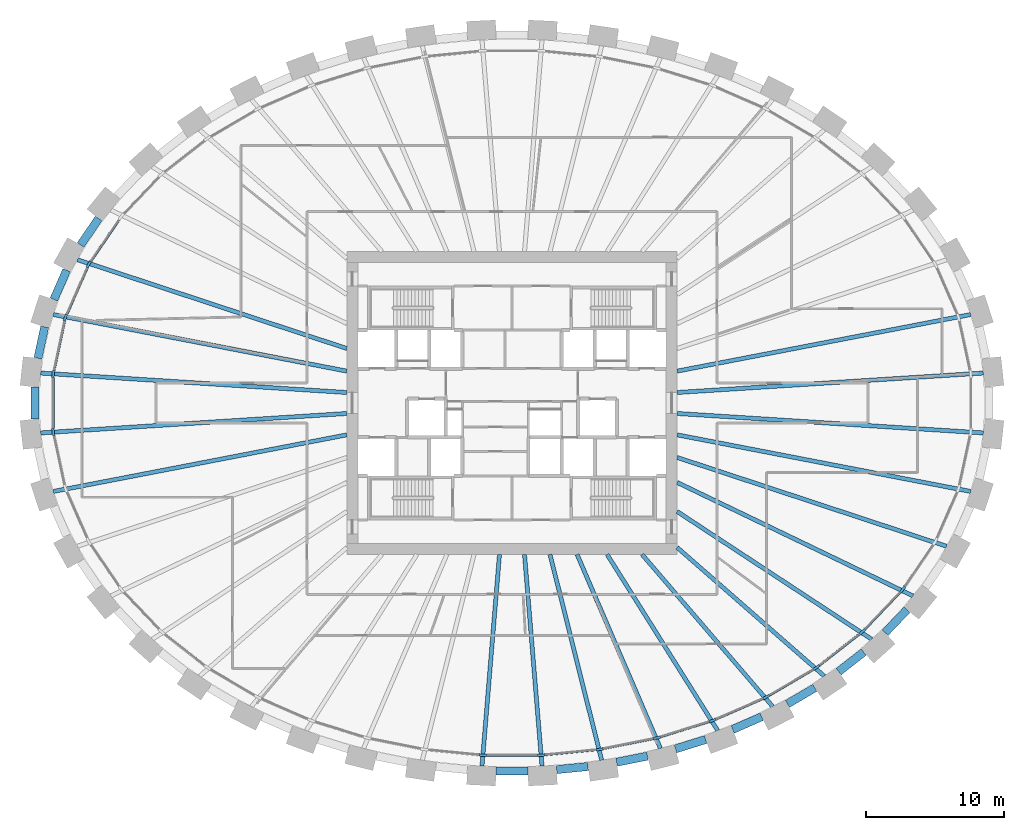
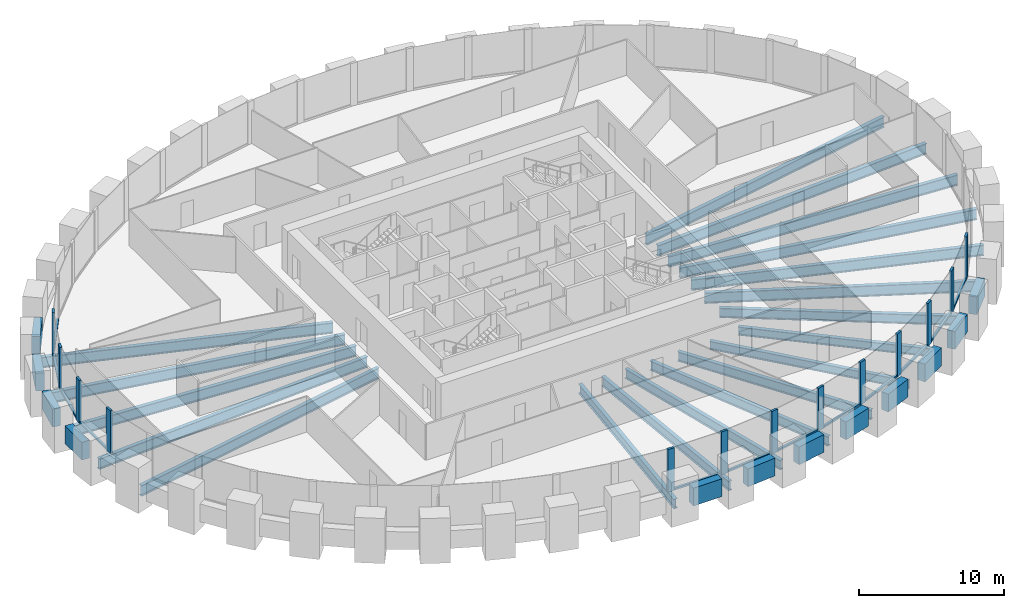
# One storey, part 2 of 11: 31 beams, 25 members, 1 element without a shape of its own.
"""IFC4 building model written with IfcOpenShell, lengths in metres."""

from ifc_helpers import new_model, si_unit, direction, frame, origin, origin_2d, place, context, subcontext, project, spatial, rectangle, i_section, extrude, source, transform, mapped, material, material_profile, profile_set, type_object, element, aggregate, save


model = new_model("IFC4")

# Units and contexts
model_context = context("Model", 3, precision=1e-05, world=origin(), true_north=direction((0.0, 1.0)))
body_context = subcontext(model_context, "Body", "Model", "MODEL_VIEW")
ifc_project = project(units=[si_unit("LENGTHUNIT", "METRE"), si_unit("AREAUNIT", "SQUARE_METRE"), si_unit("VOLUMEUNIT", "CUBIC_METRE"), si_unit("PLANEANGLEUNIT", "RADIAN"), si_unit("MASSUNIT", "GRAM", prefix="KILO")], contexts=[model_context])

# Site, building, storey
site_placement = place(None, origin())
site = spatial("IfcSite", under=ifc_project, at=site_placement, CompositionType="ELEMENT")
building_placement = place(site_placement, origin())
building = spatial("IfcBuilding", under=site, at=building_placement, Name="Embergate Tower", CompositionType="ELEMENT")
storey_placement = place(building_placement, frame((0.0, 0.0, 230.699951171875)))
storey = spatial("IfcBuildingStorey", under=building, at=storey_placement, Name="L53", CompositionType="ELEMENT", Elevation=230.699951171875)

# Beams
ifc_material_1 = material(Name="Concrete C60", Category="concrete")
ifc_material_profile_1 = material_profile(ifc_material_1, rectangle(XDim=0.60009765625, YDim=1.5, at=origin_2d()), Name="RC 600x1500")
ifc_profile_set_1 = profile_set([ifc_material_profile_1], Name="Concrete C60")
beam_type_1 = type_object("IfcBeamType", Name="Spandrel beam RC 600x1500 C60", PredefinedType="BEAM", material=ifc_profile_set_1)
shared_shape_1 = source(origin(), body_context, "Body", "SweptSolid", [
    extrude(rectangle(XDim=0.60009765625, YDim=1.5, at=origin_2d()), origin(), (0.0, 0.0, 1.0), 2.326171875),
])
beam_1_placement = place(storey_placement, frame((-33.947998046875, 5.527099609375, 0.0), z_axis=(-0.210224296762, -0.977653182397, 0.0), x_axis=(0.977653182397, -0.210224296762, 0.0)))
element("IfcBeam", 1, at=beam_1_placement, inside=storey, type_object=beam_type_1, Name="SPN-L53-20", PredefinedType="BEAM", context=body_context, shape_type="MappedRepresentation", body=[
    mapped(shared_shape_1, transform((0.0, 0.0, 0.0))),
])
shared_shape_2 = source(origin(), body_context, "Body", "SweptSolid", [
    extrude(rectangle(XDim=0.60009765625, YDim=1.5, at=origin_2d()), origin(), (0.0, 0.0, 1.0), 2.3193359375),
])
beam_2_placement = place(storey_placement, frame((-32.35107421875, 9.64306640625, 0.0), z_axis=(-0.401768353021, -0.915741333844, 0.0), x_axis=(0.915741333844, -0.401768353021, 0.0)))
element("IfcBeam", 2, at=beam_2_placement, inside=storey, type_object=beam_type_1, Name="SPN-L53-19", PredefinedType="BEAM", context=body_context, shape_type="MappedRepresentation", body=[
    mapped(shared_shape_2, transform((0.0, 0.0, 0.0))),
])
shared_shape_3 = source(origin(), body_context, "Body", "SweptSolid", [
    extrude(rectangle(XDim=0.60009765625, YDim=1.5, at=origin_2d()), origin(), (0.0, 0.0, 1.0), 2.315673828125),
])
beam_3_placement = place(storey_placement, frame((-30.032958984375, 13.39501953125, 0.0), z_axis=(-0.562243694996, -0.82697160014, 0.0), x_axis=(0.82697160014, -0.562243694996, 0.0)))
element("IfcBeam", 3, at=beam_3_placement, inside=storey, type_object=beam_type_1, Name="SPN-L53-18", PredefinedType="BEAM", context=body_context, shape_type="MappedRepresentation", body=[
    mapped(shared_shape_3, transform((0.0, 0.0, 0.0))),
])
shared_shape_4 = source(origin(), body_context, "Body", "SweptSolid", [
    extrude(rectangle(XDim=0.60009765625, YDim=1.5, at=origin_2d()), origin(), (0.0, 0.0, 1.0), 2.30712890625),
])
beam_4_placement = place(storey_placement, frame((27.10498046875, -16.68505859375, 0.0), z_axis=(0.690460646057, 0.723369958076, 0.0), x_axis=(-0.723369958076, 0.690460646057, 0.0)))
element("IfcBeam", 4, at=beam_4_placement, inside=storey, type_object=beam_type_1, Name="SPN-L53-39", PredefinedType="BEAM", context=body_context, shape_type="MappedRepresentation", body=[
    mapped(shared_shape_4, transform((0.0, 0.0, 0.0))),
])
shared_shape_5 = source(origin(), body_context, "Body", "SweptSolid", [
    extrude(rectangle(XDim=0.60009765625, YDim=1.5, at=origin_2d()), origin(), (0.0, 0.0, 1.0), 2.30224609375),
])
beam_5_placement = place(storey_placement, frame((23.73388671875, -19.510986328125, 0.0), z_axis=(0.788466304813, 0.6150779513, 0.0), x_axis=(-0.6150779513, 0.788466304813, 0.0)))
element("IfcBeam", 5, at=beam_5_placement, inside=storey, type_object=beam_type_1, Name="SPN-L53-38", PredefinedType="BEAM", context=body_context, shape_type="MappedRepresentation", body=[
    mapped(shared_shape_5, transform((0.0, 0.0, 0.0))),
])
shared_shape_6 = source(origin(), body_context, "Body", "SweptSolid", [
    extrude(rectangle(XDim=0.60009765625, YDim=1.5, at=origin_2d()), origin(), (0.0, 0.0, 1.0), 2.29931640625),
])
beam_6_placement = place(storey_placement, frame((20.014892578125, -21.85693359375, 0.0), z_axis=(0.86211432003, 0.506713823769, 0.0), x_axis=(-0.506713823769, 0.86211432003, 0.0)))
element("IfcBeam", 6, at=beam_6_placement, inside=storey, type_object=beam_type_1, Name="SPN-L53-37", PredefinedType="BEAM", context=body_context, shape_type="MappedRepresentation", body=[
    mapped(shared_shape_6, transform((0.0, 0.0, 0.0))),
])
shared_shape_7 = source(origin(), body_context, "Body", "SweptSolid", [
    extrude(rectangle(XDim=0.60009765625, YDim=1.5, at=origin_2d()), origin(), (0.0, 0.0, 1.0), 2.294189453125),
])
beam_7_placement = place(storey_placement, frame((16.033935546875, -23.712890625, 0.0), z_axis=(0.916269649714, 0.400562016437, 0.0), x_axis=(-0.400562016437, 0.916269649714, 0.0)))
element("IfcBeam", 7, at=beam_7_placement, inside=storey, type_object=beam_type_1, Name="SPN-L53-36", PredefinedType="BEAM", context=body_context, shape_type="MappedRepresentation", body=[
    mapped(shared_shape_7, transform((0.0, 0.0, 0.0))),
])
shared_shape_8 = source(origin(), body_context, "Body", "SweptSolid", [
    extrude(rectangle(XDim=0.60009765625, YDim=1.5, at=origin_2d()), origin(), (0.0, 0.0, 1.0), 2.29248046875),
])
beam_8_placement = place(storey_placement, frame((11.8779296875, -25.1279296875, 0.0), z_axis=(0.954869530389, 0.297025554345, 0.0), x_axis=(-0.297025554345, 0.954869530389, 0.0)))
element("IfcBeam", 8, at=beam_8_placement, inside=storey, type_object=beam_type_1, Name="SPN-L53-35", PredefinedType="BEAM", context=body_context, shape_type="MappedRepresentation", body=[
    mapped(shared_shape_8, transform((0.0, 0.0, 0.0))),
])
shared_shape_9 = source(origin(), body_context, "Body", "SweptSolid", [
    extrude(rectangle(XDim=0.60009765625, YDim=1.5, at=origin_2d()), origin(), (0.0, 0.0, 1.0), 2.289794921875),
])
beam_9_placement = place(storey_placement, frame((7.597900390625, -26.097900390625, 0.0), z_axis=(0.980502681686, 0.196505702735, 0.0), x_axis=(-0.196505702735, 0.980502681686, 0.0)))
element("IfcBeam", 9, at=beam_9_placement, inside=storey, type_object=beam_type_1, Name="SPN-L53-34", PredefinedType="BEAM", context=body_context, shape_type="MappedRepresentation", body=[
    mapped(shared_shape_9, transform((0.0, 0.0, 0.0))),
])
shared_shape_10 = source(origin(), body_context, "Body", "SweptSolid", [
    extrude(rectangle(XDim=0.60009765625, YDim=1.5, at=origin_2d()), origin(), (0.0, 0.0, 1.0), 2.2890625),
])
beam_10_placement = place(storey_placement, frame((3.242919921875, -26.632080078125, 0.0), z_axis=(0.995195366702, 0.097909050116, 0.0), x_axis=(-0.097909050116, 0.995195366702, 0.0)))
element("IfcBeam", 10, at=beam_10_placement, inside=storey, type_object=beam_type_1, Name="SPN-L53-33", PredefinedType="BEAM", context=body_context, shape_type="MappedRepresentation", body=[
    mapped(shared_shape_10, transform((0.0, 0.0, 0.0))),
])
shared_shape_11 = source(origin(), body_context, "Body", "SweptSolid", [
    extrude(rectangle(XDim=0.60009765625, YDim=1.5, at=origin_2d()), origin(), (0.0, 0.0, 1.0), 2.2900390625),
])
beam_11_placement = place(storey_placement, frame((-1.14501953125, -26.735107421875, 0.0), z_axis=(1.0, 0.0, 0.0), x_axis=(0.0, 1.0, 0.0)))
element("IfcBeam", 11, at=beam_11_placement, inside=storey, type_object=beam_type_1, Name="SPN-L53-32", PredefinedType="BEAM", context=body_context, shape_type="MappedRepresentation", body=[
    mapped(shared_shape_11, transform((0.0, 0.0, 0.0))),
])
shared_shape_12 = source(origin(), body_context, "Body", "SweptSolid", [
    extrude(rectangle(XDim=0.60009765625, YDim=1.5, at=origin_2d()), origin(), (0.0, 0.0, 1.0), 2.328125),
])
beam_12_placement = place(storey_placement, frame((-34.658935546875, 1.1640625, 0.0), z_axis=(0.0, -1.0, 0.0), x_axis=(1.0, 0.0, 0.0)))
element("IfcBeam", 12, at=beam_12_placement, inside=storey, type_object=beam_type_1, Name="SPN-L53-21", PredefinedType="BEAM", context=body_context, shape_type="MappedRepresentation", body=[
    mapped(shared_shape_12, transform((0.0, 0.0, 0.0))),
])
ifc_material_2 = material(Name="Steel Q355B", Category="steel")
ifc_material_profile_2 = material_profile(ifc_material_2, i_section(OverallWidth=0.300048828125, OverallDepth=0.89990234375, WebThickness=0.01611328125, FlangeThickness=0.028076171875, FilletRadius=0.028076171875, at=origin_2d()), Name="HN 900x300x16x28")
ifc_profile_set_2 = profile_set([ifc_material_profile_2], Name="Steel Q355 grade B")
beam_type_2 = type_object("IfcBeamType", Name="Radial girder HN 900x300x16x28", PredefinedType="BEAM", material=ifc_profile_set_2)
shared_shape_13 = source(origin(), body_context, "Body", "SweptSolid", [
    extrude(i_section(OverallWidth=0.300048828125, OverallDepth=0.89990234375, WebThickness=0.01611328125, FlangeThickness=0.028076171875, FilletRadius=0.028076171875, at=origin_2d()), origin(), (0.0, 0.0, 1.0), 22.283935546875),
])
for number, where, z_axis, x_axis, name in (
    (13, (34.239013671875, 2.175048828125, -0.64990234375), (-0.997987372241, -0.063412970662, 0.0), (0.063412970662, -0.997987372241, 0.0), "GIR-L53-00"),
    (14, (-34.239013671875, 2.175048828125, -0.64990234375), (0.997987372241, -0.063412970662, 0.0), (0.063412970662, 0.997987372241, 0.0), "GIR-L53-21"),
    (15, (-34.239013671875, -2.175048828125, -0.64990234375), (0.997987372241, 0.063412970662, 0.0), (-0.063412970662, 0.997987372241, 0.0), "GIR-L53-22"),
    (16, (34.239013671875, -2.175048828125, -0.64990234375), (-0.997987372241, 0.063412970662, 0.0), (-0.063412970662, -0.997987372241, 0.0), "GIR-L53-43"),
):
    element("IfcBeam", number, at=place(storey_placement, frame(where, z_axis=z_axis, x_axis=x_axis)), inside=storey, type_object=beam_type_2, Name=name, PredefinedType="BEAM", context=body_context, shape_type="MappedRepresentation", body=[
        mapped(shared_shape_13, transform((0.0, 0.0, 0.0))),
    ])
shared_shape_14 = source(origin(), body_context, "Body", "SweptSolid", [
    extrude(i_section(OverallWidth=0.300048828125, OverallDepth=0.89990234375, WebThickness=0.01611328125, FlangeThickness=0.028076171875, FilletRadius=0.028076171875, at=origin_2d()), origin(), (0.0, 0.0, 1.0), 21.717041015625),
])
for number, where, z_axis, x_axis, name in (
    (17, (33.323974609375, 6.427978515625, -0.64990234375), (-0.981901494291, -0.189392332234, 0.0), (0.189392332234, -0.981901494291, 0.0), "GIR-L53-01"),
    (18, (-33.323974609375, 6.427978515625, -0.64990234375), (0.981901494291, -0.189392332234, 0.0), (0.189392332234, 0.981901494291, 0.0), "GIR-L53-20"),
    (19, (-33.323974609375, -6.427978515625, -0.64990234375), (0.981901494291, 0.189392332234, 0.0), (-0.189392332234, 0.981901494291, 0.0), "GIR-L53-23"),
    (20, (33.323974609375, -6.427978515625, -0.64990234375), (-0.981901494291, 0.189392332234, 0.0), (-0.189392332234, -0.981901494291, 0.0), "GIR-L53-42"),
):
    element("IfcBeam", number, at=place(storey_placement, frame(where, z_axis=z_axis, x_axis=x_axis)), inside=storey, type_object=beam_type_2, Name=name, PredefinedType="BEAM", context=body_context, shape_type="MappedRepresentation", body=[
        mapped(shared_shape_14, transform((0.0, 0.0, 0.0))),
    ])
shared_shape_15 = source(origin(), body_context, "Body", "SweptSolid", [
    extrude(i_section(OverallWidth=0.300048828125, OverallDepth=0.89990234375, WebThickness=0.01611328125, FlangeThickness=0.028076171875, FilletRadius=0.028076171875, at=origin_2d()), origin(), (0.0, 0.0, 1.0), 20.614013671875),
])
for number, where, z_axis, x_axis, name in (
    (21, (-31.576904296875, 10.4130859375, -0.64990234375), (0.949691049508, -0.313188298767, 0.0), (0.313188298767, 0.949691049508, 0.0), "GIR-L53-19"),
    (22, (31.576904296875, -10.4130859375, -0.64990234375), (-0.949691049508, 0.313188298767, 0.0), (-0.313188298767, -0.949691049508, 0.0), "GIR-L53-41"),
):
    element("IfcBeam", number, at=place(storey_placement, frame(where, z_axis=z_axis, x_axis=x_axis)), inside=storey, type_object=beam_type_2, Name=name, PredefinedType="BEAM", context=body_context, shape_type="MappedRepresentation", body=[
        mapped(shared_shape_15, transform((0.0, 0.0, 0.0))),
    ])
shared_shape_16 = source(origin(), body_context, "Body", "SweptSolid", [
    extrude(i_section(OverallWidth=0.300048828125, OverallDepth=0.89990234375, WebThickness=0.01611328125, FlangeThickness=0.028076171875, FilletRadius=0.028076171875, at=origin_2d()), origin(), (0.0, 0.0, 1.0), 19.0078125),
])
beam_13_placement = place(storey_placement, frame((29.12890625, -14.012939453125, -0.64990234375), z_axis=(-0.901150926949, 0.433505486538, 0.0), x_axis=(-0.433505486538, -0.901150926949, 0.0)))
element("IfcBeam", 23, at=beam_13_placement, inside=storey, type_object=beam_type_2, Name="GIR-L53-40", PredefinedType="BEAM", context=body_context, shape_type="MappedRepresentation", body=[
    mapped(shared_shape_16, transform((0.0, 0.0, 0.0))),
])
ifc_material_profile_3 = material_profile(ifc_material_2, i_section(OverallWidth=0.300048828125, OverallDepth=0.800048828125, WebThickness=0.013916015625, FlangeThickness=0.02587890625, FilletRadius=0.028076171875, at=origin_2d()), Name="HN 800x300x14x26")
ifc_profile_set_3 = profile_set([ifc_material_profile_3], Name="Steel Q355 grade B")
beam_type_3 = type_object("IfcBeamType", Name="Radial girder HN 800x300x14x26", PredefinedType="BEAM", material=ifc_profile_set_3)
shared_shape_17 = source(origin(), body_context, "Body", "SweptSolid", [
    extrude(i_section(OverallWidth=0.300048828125, OverallDepth=0.800048828125, WebThickness=0.013916015625, FlangeThickness=0.02587890625, FilletRadius=0.028076171875, at=origin_2d()), origin(), (0.0, 0.0, 1.0), 16.89990234375),
])
beam_14_placement = place(storey_placement, frame((26.1240234375, -17.1640625, -0.599853515625), z_axis=(-0.83574544769, 0.549117060986, 0.0), x_axis=(-0.549117060986, -0.83574544769, 0.0)))
element("IfcBeam", 24, at=beam_14_placement, inside=storey, type_object=beam_type_3, Name="GIR-L53-39", PredefinedType="BEAM", context=body_context, shape_type="MappedRepresentation", body=[
    mapped(shared_shape_17, transform((0.0, 0.0, 0.0))),
])
ifc_material_profile_4 = material_profile(ifc_material_2, i_section(OverallWidth=0.300048828125, OverallDepth=0.699951171875, WebThickness=0.012939453125, FlangeThickness=0.02392578125, FilletRadius=0.01806640625, at=origin_2d()), Name="HN 700x300x13x24")
ifc_profile_set_4 = profile_set([ifc_material_profile_4], Name="Steel Q355 grade B")
beam_type_4 = type_object("IfcBeamType", Name="Radial girder HN 700x300x13x24", PredefinedType="BEAM", material=ifc_profile_set_4)
shared_shape_18 = source(origin(), body_context, "Body", "SweptSolid", [
    extrude(i_section(OverallWidth=0.300048828125, OverallDepth=0.699951171875, WebThickness=0.012939453125, FlangeThickness=0.02392578125, FilletRadius=0.01806640625, at=origin_2d()), origin(), (0.0, 0.0, 1.0), 14.2021484375),
])
beam_15_placement = place(storey_placement, frame((22.69091796875, -19.843017578125, -0.550048828125), z_axis=(-0.752766213958, 0.658287951525, 0.0), x_axis=(-0.658287951525, -0.752766213958, 0.0)))
element("IfcBeam", 25, at=beam_15_placement, inside=storey, type_object=beam_type_4, Name="GIR-L53-38", PredefinedType="BEAM", context=body_context, shape_type="MappedRepresentation", body=[
    mapped(shared_shape_18, transform((0.0, 0.0, 0.0))),
])
shared_shape_19 = source(origin(), body_context, "Body", "SweptSolid", [
    extrude(i_section(OverallWidth=0.300048828125, OverallDepth=0.699951171875, WebThickness=0.012939453125, FlangeThickness=0.02392578125, FilletRadius=0.01806640625, at=origin_2d()), origin(), (0.0, 0.0, 1.0), 14.566650390625),
])
beam_16_placement = place(storey_placement, frame((18.93603515625, -22.051025390625, -0.550048828125), z_axis=(-0.651490890216, 0.758656457144, 0.0), x_axis=(-0.758656457144, -0.651490890216, 0.0)))
element("IfcBeam", 26, at=beam_16_placement, inside=storey, type_object=beam_type_4, Name="GIR-L53-37", PredefinedType="BEAM", context=body_context, shape_type="MappedRepresentation", body=[
    mapped(shared_shape_19, transform((0.0, 0.0, 0.0))),
])
shared_shape_20 = source(origin(), body_context, "Body", "SweptSolid", [
    extrude(i_section(OverallWidth=0.300048828125, OverallDepth=0.800048828125, WebThickness=0.013916015625, FlangeThickness=0.02587890625, FilletRadius=0.028076171875, at=origin_2d()), origin(), (0.0, 0.0, 1.0), 15.111572265625),
])
beam_17_placement = place(storey_placement, frame((14.945068359375, -23.797119140625, -0.599853515625), z_axis=(-0.531849241283, 0.846839054689, 0.0), x_axis=(-0.846839054689, -0.531849241283, 0.0)))
element("IfcBeam", 27, at=beam_17_placement, inside=storey, type_object=beam_type_3, Name="GIR-L53-36", PredefinedType="BEAM", context=body_context, shape_type="MappedRepresentation", body=[
    mapped(shared_shape_20, transform((0.0, 0.0, 0.0))),
])
shared_shape_21 = source(origin(), body_context, "Body", "SweptSolid", [
    extrude(i_section(OverallWidth=0.300048828125, OverallDepth=0.800048828125, WebThickness=0.013916015625, FlangeThickness=0.02587890625, FilletRadius=0.028076171875, at=origin_2d()), origin(), (0.0, 0.0, 1.0), 15.338623046875),
])
beam_18_placement = place(storey_placement, frame((10.784912109375, -25.092041015625, -0.599853515625), z_axis=(-0.394879579292, 0.91873288711, 0.0), x_axis=(-0.91873288711, -0.394879579292, 0.0)))
element("IfcBeam", 28, at=beam_18_placement, inside=storey, type_object=beam_type_3, Name="GIR-L53-35", PredefinedType="BEAM", context=body_context, shape_type="MappedRepresentation", body=[
    mapped(shared_shape_21, transform((0.0, 0.0, 0.0))),
])
shared_shape_22 = source(origin(), body_context, "Body", "SweptSolid", [
    extrude(i_section(OverallWidth=0.300048828125, OverallDepth=0.800048828125, WebThickness=0.013916015625, FlangeThickness=0.02587890625, FilletRadius=0.028076171875, at=origin_2d()), origin(), (0.0, 0.0, 1.0), 15.412841796875),
])
beam_19_placement = place(storey_placement, frame((6.513916015625, -25.948974609375, -0.599853515625), z_axis=(-0.243493364417, 0.969902562882, 0.0), x_axis=(-0.969902562882, -0.243493364417, 0.0)))
element("IfcBeam", 29, at=beam_19_placement, inside=storey, type_object=beam_type_3, Name="GIR-L53-34", PredefinedType="BEAM", context=body_context, shape_type="MappedRepresentation", body=[
    mapped(shared_shape_22, transform((0.0, 0.0, 0.0))),
])
shared_shape_23 = source(origin(), body_context, "Body", "SweptSolid", [
    extrude(i_section(OverallWidth=0.300048828125, OverallDepth=0.800048828125, WebThickness=0.013916015625, FlangeThickness=0.02587890625, FilletRadius=0.028076171875, at=origin_2d()), origin(), (0.0, 0.0, 1.0), 15.42724609375),
])
for number, where, z_axis, x_axis, name in (
    (30, (-2.178955078125, -26.375, -0.599853515625), (0.0823225207, 0.996605740795, 0.0), (-0.996605740795, 0.0823225207, 0.0), "GIR-L53-32"),
    (31, (2.178955078125, -26.375, -0.599853515625), (-0.0823225207, 0.996605740795, 0.0), (-0.996605740795, -0.0823225207, 0.0), "GIR-L53-33"),
):
    element("IfcBeam", number, at=place(storey_placement, frame(where, z_axis=z_axis, x_axis=x_axis)), inside=storey, type_object=beam_type_3, Name=name, PredefinedType="BEAM", context=body_context, shape_type="MappedRepresentation", body=[
        mapped(shared_shape_23, transform((0.0, 0.0, 0.0))),
    ])

# Curtain wall, members
ifc_material_3 = material(Name="Aluminium and glass", Category="aluminium")
curtain_wall_type = type_object("IfcCurtainWallType", Name="Recessed office glazing", PredefinedType="NOTDEFINED", material=ifc_material_3)
curtain_wall_placement = place(storey_placement, origin())
curtain_wall = element("IfcCurtainWall", 32, at=curtain_wall_placement, inside=storey, type_object=curtain_wall_type, Name="Recessed office glazing ring", ObjectType="RECESSED OFFICE GLAZING", PredefinedType="USERDEFINED")
ifc_material_4 = material(Name="Aluminium, thermally broken", Category="aluminium")
ifc_material_profile_5 = material_profile(ifc_material_4, rectangle(XDim=0.179931640625, YDim=0.52001953125, at=origin_2d()), Name="AL 520x180")
ifc_profile_set_5 = profile_set([ifc_material_profile_5], Name="Aluminium, thermally broken")
member_type_1 = type_object("IfcMemberType", Name="Office mullion", PredefinedType="MULLION", material=ifc_profile_set_5)
shared_shape_24 = source(origin(), body_context, "Body", "SweptSolid", [
    extrude(rectangle(XDim=0.179931640625, YDim=0.52001953125, at=origin_2d()), origin(), (0.0, 0.0, 1.0), 3.60009765625),
])
member_1_placement = place(storey_placement, frame((-30.754150390625, 10.064453125, 0.0), z_axis=(0.0, 0.0, 1.0), x_axis=(0.87499344622, -0.484134763338, 0.0)))
member_1 = element("IfcMember", 33, at=member_1_placement, type_object=member_type_1, Name="CW mullion 20", PredefinedType="MULLION", context=body_context, shape_type="MappedRepresentation", body=[
    mapped(shared_shape_24, transform((0.0, 0.0, 0.0))),
])
member_2_placement = place(storey_placement, frame((-32.445068359375, 6.209228515625, 0.0), z_axis=(0.0, 0.0, 1.0), x_axis=(0.951493502218, -0.307668840212, 0.0)))
member_2 = element("IfcMember", 34, at=member_2_placement, type_object=member_type_1, Name="CW mullion 21", PredefinedType="MULLION", context=body_context, shape_type="MappedRepresentation", body=[
    mapped(shared_shape_24, transform((0.0, 0.0, 0.0))),
])
member_3_placement = place(storey_placement, frame((-33.32958984375, 2.10009765625, 0.0), z_axis=(0.0, 0.0, 1.0), x_axis=(0.994384400633, -0.105828463931, 0.0)))
member_3 = element("IfcMember", 35, at=member_3_placement, type_object=member_type_1, Name="CW mullion 22", PredefinedType="MULLION", context=body_context, shape_type="MappedRepresentation", body=[
    mapped(shared_shape_24, transform((0.0, 0.0, 0.0))),
])
member_4_placement = place(storey_placement, frame((-33.32958984375, -2.10009765625, 0.0), z_axis=(0.0, 0.0, 1.0), x_axis=(0.994384400633, 0.105828463931, 0.0)))
member_4 = element("IfcMember", 36, at=member_4_placement, type_object=member_type_1, Name="CW mullion 23", PredefinedType="MULLION", context=body_context, shape_type="MappedRepresentation", body=[
    mapped(shared_shape_24, transform((0.0, 0.0, 0.0))),
])
member_5_placement = place(storey_placement, frame((-2.126220703125, -25.58203125, 0.0), z_axis=(0.0, 0.0, 1.0), x_axis=(0.048970053385, 0.998800247232, 0.0)))
member_5 = element("IfcMember", 37, at=member_5_placement, type_object=member_type_1, Name="CW mullion 33", PredefinedType="MULLION", context=body_context, shape_type="MappedRepresentation", body=[
    mapped(shared_shape_24, transform((0.0, 0.0, 0.0))),
])
member_6_placement = place(storey_placement, frame((2.126220703125, -25.58203125, 0.0), z_axis=(0.0, 0.0, 1.0), x_axis=(-0.048970053385, 0.998800247232, 0.0)))
member_6 = element("IfcMember", 38, at=member_6_placement, type_object=member_type_1, Name="CW mullion 34", PredefinedType="MULLION", context=body_context, shape_type="MappedRepresentation", body=[
    mapped(shared_shape_24, transform((0.0, 0.0, 0.0))),
])
member_7_placement = place(storey_placement, frame((6.357421875, -25.166259765625, 0.0), z_axis=(0.0, 0.0, 1.0), x_axis=(-0.147407204031, 0.98907589001, 0.0)))
member_7 = element("IfcMember", 39, at=member_7_placement, type_object=member_type_1, Name="CW mullion 35", PredefinedType="MULLION", context=body_context, shape_type="MappedRepresentation", body=[
    mapped(shared_shape_24, transform((0.0, 0.0, 0.0))),
])
member_8_placement = place(storey_placement, frame((10.52490234375, -24.330322265625, 0.0), z_axis=(0.0, 0.0, 1.0), x_axis=(-0.247305116915, 0.968937654933, 0.0)))
member_8 = element("IfcMember", 40, at=member_8_placement, type_object=member_type_1, Name="CW mullion 36", PredefinedType="MULLION", context=body_context, shape_type="MappedRepresentation", body=[
    mapped(shared_shape_24, transform((0.0, 0.0, 0.0))),
])
member_9_placement = place(storey_placement, frame((14.5810546875, -23.067138671875, 0.0), z_axis=(0.0, 0.0, 1.0), x_axis=(-0.349492871267, 0.93693902306, 0.0)))
member_9 = element("IfcMember", 41, at=member_9_placement, type_object=member_type_1, Name="CW mullion 37", PredefinedType="MULLION", context=body_context, shape_type="MappedRepresentation", body=[
    mapped(shared_shape_24, transform((0.0, 0.0, 0.0))),
])
member_10_placement = place(storey_placement, frame((18.470703125, -21.366455078125, 0.0), z_axis=(0.0, 0.0, 1.0), x_axis=(-0.454500498039, 0.890746483171, 0.0)))
member_10 = element("IfcMember", 42, at=member_10_placement, type_object=member_type_1, Name="CW mullion 38", PredefinedType="MULLION", context=body_context, shape_type="MappedRepresentation", body=[
    mapped(shared_shape_24, transform((0.0, 0.0, 0.0))),
])
member_11_placement = place(storey_placement, frame((22.126220703125, -19.21728515625, 0.0), z_axis=(0.0, 0.0, 1.0), x_axis=(-0.562204628156, 0.826998159659, 0.0)))
member_11 = element("IfcMember", 43, at=member_11_placement, type_object=member_type_1, Name="CW mullion 39", PredefinedType="MULLION", context=body_context, shape_type="MappedRepresentation", body=[
    mapped(shared_shape_24, transform((0.0, 0.0, 0.0))),
])
member_12_placement = place(storey_placement, frame((25.46435546875, -16.612060546875, 0.0), z_axis=(0.0, 0.0, 1.0), x_axis=(-0.67121489031, 0.741262821829, 0.0)))
member_12 = element("IfcMember", 44, at=member_12_placement, type_object=member_type_1, Name="CW mullion 40", PredefinedType="MULLION", context=body_context, shape_type="MappedRepresentation", body=[
    mapped(shared_shape_24, transform((0.0, 0.0, 0.0))),
])
member_13_placement = place(storey_placement, frame((28.3818359375, -13.552978515625, 0.0), z_axis=(0.0, 0.0, 1.0), x_axis=(-0.777860499375, 0.62843698452, 0.0)))
member_13 = element("IfcMember", 45, at=member_13_placement, type_object=member_type_1, Name="CW mullion 41", PredefinedType="MULLION", context=body_context, shape_type="MappedRepresentation", body=[
    mapped(shared_shape_24, transform((0.0, 0.0, 0.0))),
])
ifc_material_profile_6 = material_profile(ifc_material_4, rectangle(XDim=0.179931640625, YDim=0.14990234375, at=origin_2d()), Name="AL 150x180")
ifc_profile_set_6 = profile_set([ifc_material_profile_6], Name="Aluminium, thermally broken")
member_type_2 = type_object("IfcMemberType", Name="Office sill transom", PredefinedType="USERDEFINED", material=ifc_profile_set_6)
shared_shape_25 = source(origin(), body_context, "Body", "SweptSolid", [
    extrude(rectangle(XDim=0.179931640625, YDim=0.14990234375, at=origin_2d()), origin(), (0.0, 0.0, 1.0), 3.68310546875),
])
member_14_placement = place(storey_placement, frame((-32.499755859375, 5.955078125, 0.074951171875), z_axis=(-0.210398187451, -0.977615774585, 0.0), x_axis=(0.977615774585, -0.210398187451, 0.0)))
member_14 = element("IfcMember", 46, at=member_14_placement, type_object=member_type_2, Name="CW transom 21.1", ObjectType="TRANSOM", PredefinedType="USERDEFINED", context=body_context, shape_type="MappedRepresentation", body=[
    mapped(shared_shape_25, transform((0.0, 0.0, 0.0))),
])
shared_shape_26 = source(origin(), body_context, "Body", "SweptSolid", [
    extrude(rectangle(XDim=0.179931640625, YDim=0.14990234375, at=origin_2d()), origin(), (0.0, 0.0, 1.0), 3.68994140625),
])
member_15_placement = place(storey_placement, frame((-30.858642578125, 9.826416015625, 0.074951171875), z_axis=(-0.401682912094, -0.91577881507, 0.0), x_axis=(0.91577881507, -0.401682912094, 0.0)))
member_15 = element("IfcMember", 47, at=member_15_placement, type_object=member_type_2, Name="CW transom 20.1", ObjectType="TRANSOM", PredefinedType="USERDEFINED", context=body_context, shape_type="MappedRepresentation", body=[
    mapped(shared_shape_26, transform((0.0, 0.0, 0.0))),
])
shared_shape_27 = source(origin(), body_context, "Body", "SweptSolid", [
    extrude(rectangle(XDim=0.179931640625, YDim=0.14990234375, at=origin_2d()), origin(), (0.0, 0.0, 1.0), 3.698486328125),
])
member_16_placement = place(storey_placement, frame((-28.528076171875, 13.337890625, 0.074951171875), z_axis=(-0.562338909452, -0.826906857461, 0.0), x_axis=(0.826906857461, -0.562338909452, 0.0)))
member_16 = element("IfcMember", 48, at=member_16_placement, type_object=member_type_2, Name="CW transom 19.1", ObjectType="TRANSOM", PredefinedType="USERDEFINED", context=body_context, shape_type="MappedRepresentation", body=[
    mapped(shared_shape_27, transform((0.0, 0.0, 0.0))),
])
shared_shape_28 = source(origin(), body_context, "Body", "SweptSolid", [
    extrude(rectangle(XDim=0.179931640625, YDim=0.14990234375, at=origin_2d()), origin(), (0.0, 0.0, 1.0), 3.707275390625),
])
member_17_placement = place(storey_placement, frame((25.643798828125, -16.423828125, 0.074951171875), z_axis=(0.69014832896, 0.723667937685, 0.0), x_axis=(-0.723667937685, 0.69014832896, 0.0)))
member_17 = element("IfcMember", 49, at=member_17_placement, type_object=member_type_2, Name="CW transom 40.1", ObjectType="TRANSOM", PredefinedType="USERDEFINED", context=body_context, shape_type="MappedRepresentation", body=[
    mapped(shared_shape_28, transform((0.0, 0.0, 0.0))),
])
shared_shape_29 = source(origin(), body_context, "Body", "SweptSolid", [
    extrude(rectangle(XDim=0.179931640625, YDim=0.14990234375, at=origin_2d()), origin(), (0.0, 0.0, 1.0), 3.714599609375),
])
member_18_placement = place(storey_placement, frame((22.3310546875, -19.057373046875, 0.074951171875), z_axis=(0.788346104957, 0.615232004043, 0.0), x_axis=(-0.615232004043, 0.788346104957, 0.0)))
member_18 = element("IfcMember", 50, at=member_18_placement, type_object=member_type_2, Name="CW transom 39.1", ObjectType="TRANSOM", PredefinedType="USERDEFINED", context=body_context, shape_type="MappedRepresentation", body=[
    mapped(shared_shape_29, transform((0.0, 0.0, 0.0))),
])
shared_shape_30 = source(origin(), body_context, "Body", "SweptSolid", [
    extrude(rectangle(XDim=0.179931640625, YDim=0.14990234375, at=origin_2d()), origin(), (0.0, 0.0, 1.0), 3.720703125),
])
member_19_placement = place(storey_placement, frame((18.694580078125, -21.234619140625, 0.074951171875), z_axis=(0.862084305092, 0.506764887215, 0.0), x_axis=(-0.506764887215, 0.862084305092, 0.0)))
member_19 = element("IfcMember", 51, at=member_19_placement, type_object=member_type_2, Name="CW transom 38.1", ObjectType="TRANSOM", PredefinedType="USERDEFINED", context=body_context, shape_type="MappedRepresentation", body=[
    mapped(shared_shape_30, transform((0.0, 0.0, 0.0))),
])
shared_shape_31 = source(origin(), body_context, "Body", "SweptSolid", [
    extrude(rectangle(XDim=0.179931640625, YDim=0.14990234375, at=origin_2d()), origin(), (0.0, 0.0, 1.0), 3.72509765625),
])
member_20_placement = place(storey_placement, frame((14.8193359375, -22.962890625, 0.074951171875), z_axis=(0.916259591607, 0.400585023169, 0.0), x_axis=(-0.400585023169, 0.916259591607, 0.0)))
member_20 = element("IfcMember", 52, at=member_20_placement, type_object=member_type_2, Name="CW transom 37.1", ObjectType="TRANSOM", PredefinedType="USERDEFINED", context=body_context, shape_type="MappedRepresentation", body=[
    mapped(shared_shape_31, transform((0.0, 0.0, 0.0))),
])
shared_shape_32 = source(origin(), body_context, "Body", "SweptSolid", [
    extrude(rectangle(XDim=0.179931640625, YDim=0.14990234375, at=origin_2d()), origin(), (0.0, 0.0, 1.0), 3.728515625),
])
member_21_placement = place(storey_placement, frame((10.773193359375, -24.253173828125, 0.074951171875), z_axis=(0.954769644307, 0.297346475194, 0.0), x_axis=(-0.297346475194, 0.954769644307, 0.0)))
member_21 = element("IfcMember", 53, at=member_21_placement, type_object=member_type_2, Name="CW transom 36.1", ObjectType="TRANSOM", PredefinedType="USERDEFINED", context=body_context, shape_type="MappedRepresentation", body=[
    mapped(shared_shape_32, transform((0.0, 0.0, 0.0))),
])
shared_shape_33 = source(origin(), body_context, "Body", "SweptSolid", [
    extrude(rectangle(XDim=0.179931640625, YDim=0.14990234375, at=origin_2d()), origin(), (0.0, 0.0, 1.0), 3.73046875),
])
member_22_placement = place(storey_placement, frame((6.6123046875, -25.114990234375, 0.074951171875), z_axis=(0.98048490986, 0.196594357844, 0.0), x_axis=(-0.196594357844, 0.98048490986, 0.0)))
member_22 = element("IfcMember", 54, at=member_22_placement, type_object=member_type_2, Name="CW transom 35.1", ObjectType="TRANSOM", PredefinedType="USERDEFINED", context=body_context, shape_type="MappedRepresentation", body=[
    mapped(shared_shape_33, transform((0.0, 0.0, 0.0))),
])
shared_shape_34 = source(origin(), body_context, "Body", "SweptSolid", [
    extrude(rectangle(XDim=0.179931640625, YDim=0.14990234375, at=origin_2d()), origin(), (0.0, 0.0, 1.0), 3.731689453125),
])
member_23_placement = place(storey_placement, frame((2.384765625, -25.556640625, 0.074951171875), z_axis=(0.995205452535, 0.097806478539, 0.0), x_axis=(-0.097806478539, 0.995205452535, 0.0)))
member_23 = element("IfcMember", 55, at=member_23_placement, type_object=member_type_2, Name="CW transom 34.1", ObjectType="TRANSOM", PredefinedType="USERDEFINED", context=body_context, shape_type="MappedRepresentation", body=[
    mapped(shared_shape_34, transform((0.0, 0.0, 0.0))),
])
shared_shape_35 = source(origin(), body_context, "Body", "SweptSolid", [
    extrude(rectangle(XDim=0.179931640625, YDim=0.14990234375, at=origin_2d()), origin(), (0.0, 0.0, 1.0), 3.732421875),
])
member_24_placement = place(storey_placement, frame((-1.8662109375, -25.58203125, 0.074951171875), z_axis=(1.0, 0.0, 0.0), x_axis=(0.0, 1.0, 0.0)))
member_24 = element("IfcMember", 56, at=member_24_placement, type_object=member_type_2, Name="CW transom 33.1", ObjectType="TRANSOM", PredefinedType="USERDEFINED", context=body_context, shape_type="MappedRepresentation", body=[
    mapped(shared_shape_35, transform((0.0, 0.0, 0.0))),
])
shared_shape_36 = source(origin(), body_context, "Body", "SweptSolid", [
    extrude(rectangle(XDim=0.179931640625, YDim=0.14990234375, at=origin_2d()), origin(), (0.0, 0.0, 1.0), 3.68017578125),
])
member_25_placement = place(storey_placement, frame((-33.32958984375, 1.840087890625, 0.074951171875), z_axis=(0.0, -1.0, 0.0), x_axis=(1.0, 0.0, 0.0)))
member_25 = element("IfcMember", 57, at=member_25_placement, type_object=member_type_2, Name="CW transom 22.1", ObjectType="TRANSOM", PredefinedType="USERDEFINED", context=body_context, shape_type="MappedRepresentation", body=[
    mapped(shared_shape_36, transform((0.0, 0.0, 0.0))),
])
aggregate(curtain_wall, [member_1, member_2, member_3, member_4, member_5, member_6, member_7, member_8, member_9, member_10, member_11, member_12, member_13, member_16, member_15, member_14, member_25, member_24, member_23, member_22, member_21, member_20, member_19, member_18, member_17])

save(model, "model.ifc")
